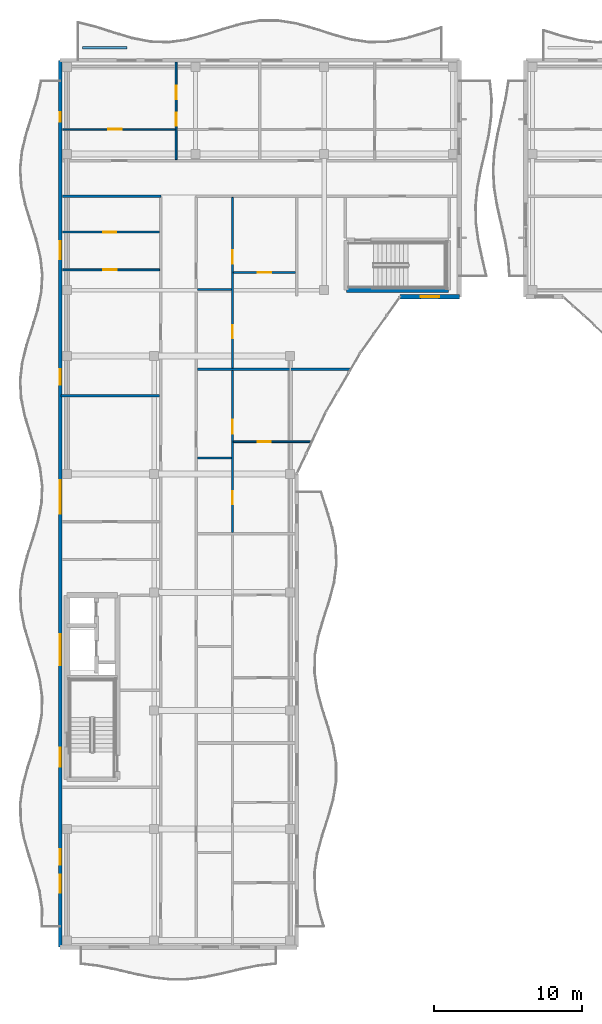
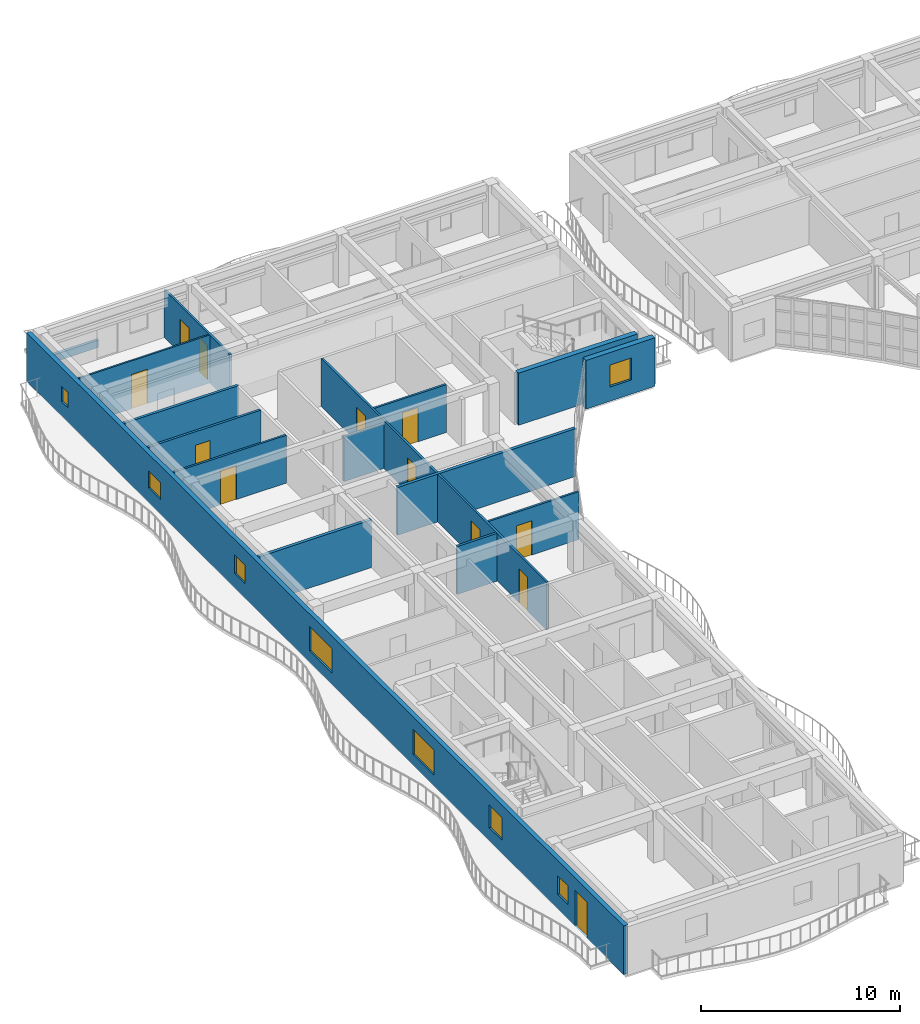
# One storey, part 34 of 76: 17 walls, 12 doors, 8 windows, 20 openings.
"""IFC4 building model written with IfcOpenShell, lengths in metres."""

from ifc_helpers import new_model, si_unit, direction, frame, frame_2d, origin, place, context, subcontext, project, spatial, rectangle, extrude, material, layer, layer_set, type_object, element, fill, save


model = new_model("IFC4")

# Units and contexts
model_context = context("Model", 3, precision=1e-05, world=origin(), true_north=direction((0.0, 1.0)))
body_context = subcontext(model_context, "Body", "Model", "MODEL_VIEW")
ifc_project = project(units=[si_unit("LENGTHUNIT", "METRE"), si_unit("AREAUNIT", "SQUARE_METRE"), si_unit("VOLUMEUNIT", "CUBIC_METRE"), si_unit("PLANEANGLEUNIT", "RADIAN"), si_unit("MASSUNIT", "GRAM", prefix="KILO")], contexts=[model_context])

# Site, building, storey
site_placement = place(None, origin())
site = spatial("IfcSite", under=ifc_project, at=site_placement, CompositionType="ELEMENT")
building_placement = place(site_placement, origin())
building = spatial("IfcBuilding", under=site, at=building_placement, Name="Keldmere Railside Commons", CompositionType="ELEMENT")
storey_placement = place(building_placement, frame((0.0, 0.0, 13.760009765625)))
storey = spatial("IfcBuildingStorey", under=building, at=storey_placement, Name="L04", CompositionType="ELEMENT", Elevation=13.760009765625)

# Walls
ifc_material_1 = material(Name="Acoustic Gypsum Board Partition", Category="gypsum")
ifc_layer_1 = layer(ifc_material_1, 0.179931640625, Name="Acoustic Demising Partition 180")
ifc_layer_set_1 = layer_set([ifc_layer_1], Name="Acoustic Gypsum Board Partition")
wall_type_1 = type_object("IfcWallType", Name="Acoustic Demising Partition 180", PredefinedType="PARTITIONING", material=ifc_layer_set_1)
wall_1_placement = place(storey_placement, frame((17.280029296875, 95.090087890625, 0.0), z_axis=(0.0, 0.0, 1.0), x_axis=(1.0, 0.0, 0.0)))
element("IfcWall", 1, at=wall_1_placement, inside=storey, type_object=wall_type_1, Name="IW-1 IW-L04-0337", PredefinedType="PARTITIONING", context=body_context, shape_type="SweptSolid", body=[
    extrude(rectangle(XDim=10.330078125, YDim=0.179931640625, at=frame_2d((5.1650390625, 0.0))), origin(), (0.0, 0.0, 1.0), 2.93505859375),
])
wall_2_placement = place(storey_placement, frame((8.0400390625, 93.300048828125, 0.0), z_axis=(0.0, 0.0, 1.0), x_axis=(1.0, 0.0, 0.0)))
element("IfcWall", 2, at=wall_2_placement, inside=storey, type_object=wall_type_1, Name="IW-1 IW-L04-0359", PredefinedType="PARTITIONING", context=body_context, shape_type="SweptSolid", body=[
    extrude(rectangle(XDim=6.679931640625, YDim=0.179931640625, at=frame_2d((3.33984375, 0.0))), origin(), (0.0, 0.0, 1.0), 2.93505859375),
])

# Wall, openings, doors
ifc_layer_2 = layer(ifc_material_1, 0.1201171875, Name="Apartment Interior Partition 120")
ifc_layer_set_2 = layer_set([ifc_layer_2], Name="Acoustic Gypsum Board Partition")
wall_type_2 = type_object("IfcWallType", Name="Apartment Interior Partition 120", PredefinedType="PARTITIONING", material=ifc_layer_set_2)
wall_3_placement = place(storey_placement, frame((19.659912109375, 84.06005859375, 0.0), z_axis=(0.0, 0.0, 1.0), x_axis=(0.0, 1.0, 0.0)))
wall_3 = element("IfcWall", 3, at=wall_3_placement, inside=storey, type_object=wall_type_2, Name="IW-4 IW-L04-0346", PredefinedType="PARTITIONING", context=body_context, shape_type="SweptSolid", body=[
    extrude(rectangle(XDim=10.93994140625, YDim=0.1201171875, at=frame_2d((5.469970703125, 0.0))), origin(), (0.0, 0.0, 1.0), 2.93505859375),
])
opening_1_placement = place(wall_3_placement, frame((1.911376953125, 0.0, 0.0)))
opening_1 = element("IfcOpeningElement", 4, at=opening_1_placement, cuts=wall_3, Name="Opening ID-04", PredefinedType="OPENING", context=body_context, shape_type="SweptSolid", body=[
    extrude(rectangle(XDim=0.860107421875, YDim=2.10009765625, at=frame_2d((0.43017578125, 1.050048828125))), frame((0.0, 0.070068359375, 0.0), z_axis=(0.0, -1.0, 0.0), x_axis=(1.0, 0.0, 0.0)), (0.0, 0.0, 1.0), 0.14013671875),
])
opening_2_placement = place(wall_3_placement, frame((6.684814453125, 0.0, 0.0)))
opening_2 = element("IfcOpeningElement", 5, at=opening_2_placement, cuts=wall_3, Name="Opening ID-03", PredefinedType="OPENING", context=body_context, shape_type="SweptSolid", body=[
    extrude(rectangle(XDim=0.919921875, YDim=2.10009765625, at=frame_2d((0.4599609375, 1.050048828125))), frame((0.0, 0.070068359375, 0.0), z_axis=(0.0, -1.0, 0.0), x_axis=(1.0, 0.0, 0.0)), (0.0, 0.0, 1.0), 0.14013671875),
])
ifc_material_2 = material(Name="Engineered Oak Timber", Category="wood")
door_type_1 = type_object("IfcDoorType", Name="Apartment Bathroom Door 860x2100", OperationType="NOTDEFINED", PredefinedType="DOOR", material=ifc_material_2)
door_1_placement = place(opening_1_placement, origin())
door_1 = element("IfcDoor", 6, at=door_1_placement, inside=storey, type_object=door_type_1, Name="ID-04 IDR-L04-0248", OperationType="SINGLE_SWING_RIGHT", OverallHeight=2.10009765625, OverallWidth=0.860107421875, PredefinedType="DOOR", context=body_context, shape_type="SweptSolid", body=[
    extrude(rectangle(XDim=0.860107421875, YDim=2.10009765625, at=frame_2d((0.43017578125, 1.050048828125))), frame((0.0, 0.02490234375, 0.0), z_axis=(0.0, -1.0, 0.0), x_axis=(1.0, 0.0, 0.0)), (0.0, 0.0, 1.0), 0.050048828125),
])
fill(opening_1, door_1)
door_type_2 = type_object("IfcDoorType", Name="Kitchen Pocket-Frame Swing Door 920x2100", OperationType="NOTDEFINED", PredefinedType="DOOR", material=ifc_material_2)
door_2_placement = place(opening_2_placement, origin())
door_2 = element("IfcDoor", 7, at=door_2_placement, inside=storey, type_object=door_type_2, Name="ID-03 IDR-L04-0249", OperationType="SINGLE_SWING_LEFT", OverallHeight=2.10009765625, OverallWidth=0.919921875, PredefinedType="DOOR", context=body_context, shape_type="SweptSolid", body=[
    extrude(rectangle(XDim=0.919921875, YDim=2.10009765625, at=frame_2d((0.4599609375, 1.050048828125))), frame((0.0, 0.02490234375, 0.0), z_axis=(0.0, -1.0, 0.0), x_axis=(1.0, 0.0, 0.0)), (0.0, 0.0, 1.0), 0.050048828125),
])
fill(opening_2, door_2)

# Wall, opening, door
wall_4_placement = place(storey_placement, frame((19.719970703125, 90.18994140625, 0.0), z_axis=(0.0, 0.0, 1.0), x_axis=(1.0, 0.0, 0.0)))
wall_4 = element("IfcWall", 8, at=wall_4_placement, inside=storey, type_object=wall_type_2, Name="IW-4 IW-L04-0348", PredefinedType="PARTITIONING", context=body_context, shape_type="SweptSolid", body=[
    extrude(rectangle(XDim=5.263427734375, YDim=0.1201171875, at=frame_2d((2.6318359375, 0.0))), origin(), (0.0, 0.0, 1.0), 2.93505859375),
])
opening_3_placement = place(wall_4_placement, frame((1.625, 0.0, 0.0)))
opening_3 = element("IfcOpeningElement", 9, at=opening_3_placement, cuts=wall_4, Name="Opening ID-01", PredefinedType="OPENING", context=body_context, shape_type="SweptSolid", body=[
    extrude(rectangle(XDim=0.89990234375, YDim=2.10009765625, at=frame_2d((0.449951171875, 1.050048828125))), frame((0.0, 0.070068359375, 0.0), z_axis=(0.0, -1.0, 0.0), x_axis=(1.0, 0.0, 0.0)), (0.0, 0.0, 1.0), 0.14013671875),
])
door_type_3 = type_object("IfcDoorType", Name="Primary Bedroom Door 900x2100", OperationType="NOTDEFINED", PredefinedType="DOOR", material=ifc_material_2)
door_3_placement = place(opening_3_placement, origin())
door_3 = element("IfcDoor", 10, at=door_3_placement, inside=storey, type_object=door_type_3, Name="ID-01 IDR-L04-0251", OperationType="SINGLE_SWING_LEFT", OverallHeight=2.10009765625, OverallWidth=0.89990234375, PredefinedType="DOOR", context=body_context, shape_type="SweptSolid", body=[
    extrude(rectangle(XDim=0.89990234375, YDim=2.10009765625, at=frame_2d((0.449951171875, 1.050048828125))), frame((0.0, 0.02490234375, 0.0), z_axis=(0.0, -1.0, 0.0), x_axis=(1.0, 0.0, 0.0)), (0.0, 0.0, 1.0), 0.050048828125),
])
fill(opening_3, door_3)

# Wall, openings, doors
wall_5_placement = place(storey_placement, frame((19.659912109375, 95.179931640625, 0.0), z_axis=(0.0, 0.0, 1.0), x_axis=(0.0, 1.0, 0.0)))
wall_5 = element("IfcWall", 11, at=wall_5_placement, inside=storey, type_object=wall_type_2, Name="IW-4 IW-L04-0349", PredefinedType="PARTITIONING", context=body_context, shape_type="SweptSolid", body=[
    extrude(rectangle(XDim=11.5400390625, YDim=0.1201171875, at=frame_2d((5.77001953125, 0.0))), origin(), (0.0, 0.0, 1.0), 2.93505859375),
])
opening_4_placement = place(wall_5_placement, frame((2.017822265625, 0.0, 0.0)))
opening_4 = element("IfcOpeningElement", 12, at=opening_4_placement, cuts=wall_5, Name="Opening ID-04", PredefinedType="OPENING", context=body_context, shape_type="SweptSolid", body=[
    extrude(rectangle(XDim=0.860107421875, YDim=2.10009765625, at=frame_2d((0.43017578125, 1.050048828125))), frame((0.0, 0.070068359375, 0.0), z_axis=(0.0, -1.0, 0.0), x_axis=(1.0, 0.0, 0.0)), (0.0, 0.0, 1.0), 0.14013671875),
])
opening_5_placement = place(wall_5_placement, frame((7.054443359375, 0.0, 0.0)))
opening_5 = element("IfcOpeningElement", 13, at=opening_5_placement, cuts=wall_5, Name="Opening ID-03", PredefinedType="OPENING", context=body_context, shape_type="SweptSolid", body=[
    extrude(rectangle(XDim=0.919921875, YDim=2.10009765625, at=frame_2d((0.4599609375, 1.050048828125))), frame((0.0, 0.070068359375, 0.0), z_axis=(0.0, -1.0, 0.0), x_axis=(1.0, 0.0, 0.0)), (0.0, 0.0, 1.0), 0.14013671875),
])
door_4_placement = place(opening_4_placement, origin())
door_4 = element("IfcDoor", 14, at=door_4_placement, inside=storey, type_object=door_type_1, Name="ID-04 IDR-L04-0252", OperationType="SINGLE_SWING_RIGHT", OverallHeight=2.10009765625, OverallWidth=0.860107421875, PredefinedType="DOOR", context=body_context, shape_type="SweptSolid", body=[
    extrude(rectangle(XDim=0.860107421875, YDim=2.10009765625, at=frame_2d((0.43017578125, 1.050048828125))), frame((0.0, 0.02490234375, 0.0), z_axis=(0.0, -1.0, 0.0), x_axis=(1.0, 0.0, 0.0)), (0.0, 0.0, 1.0), 0.050048828125),
])
fill(opening_4, door_4)
door_5_placement = place(opening_5_placement, origin())
door_5 = element("IfcDoor", 15, at=door_5_placement, inside=storey, type_object=door_type_2, Name="ID-03 IDR-L04-0253", OperationType="SINGLE_SWING_LEFT", OverallHeight=2.10009765625, OverallWidth=0.919921875, PredefinedType="DOOR", context=body_context, shape_type="SweptSolid", body=[
    extrude(rectangle(XDim=0.919921875, YDim=2.10009765625, at=frame_2d((0.4599609375, 1.050048828125))), frame((0.0, 0.02490234375, 0.0), z_axis=(0.0, -1.0, 0.0), x_axis=(1.0, 0.0, 0.0)), (0.0, 0.0, 1.0), 0.050048828125),
])
fill(opening_5, door_5)

# Wall, opening, door
wall_6_placement = place(storey_placement, frame((19.719970703125, 101.639892578125, 0.0), z_axis=(0.0, 0.0, 1.0), x_axis=(1.0, 0.0, 0.0)))
wall_6 = element("IfcWall", 16, at=wall_6_placement, inside=storey, type_object=wall_type_2, Name="IW-4 IW-L04-0351", PredefinedType="PARTITIONING", context=body_context, shape_type="SweptSolid", body=[
    extrude(rectangle(XDim=4.18994140625, YDim=0.1201171875, at=frame_2d((2.094970703125, 0.0))), origin(), (0.0, 0.0, 1.0), 2.93505859375),
])
opening_6_placement = place(wall_6_placement, frame((1.64501953125, 0.0, 0.0)))
opening_6 = element("IfcOpeningElement", 17, at=opening_6_placement, cuts=wall_6, Name="Opening ID-01", PredefinedType="OPENING", context=body_context, shape_type="SweptSolid", body=[
    extrude(rectangle(XDim=0.89990234375, YDim=2.10009765625, at=frame_2d((0.449951171875, 1.050048828125))), frame((0.0, 0.070068359375, 0.0), z_axis=(0.0, -1.0, 0.0), x_axis=(1.0, 0.0, 0.0)), (0.0, 0.0, 1.0), 0.14013671875),
])
door_6_placement = place(opening_6_placement, origin())
door_6 = element("IfcDoor", 18, at=door_6_placement, inside=storey, type_object=door_type_3, Name="ID-01 IDR-L04-0255", OperationType="SINGLE_SWING_LEFT", OverallHeight=2.10009765625, OverallWidth=0.89990234375, PredefinedType="DOOR", context=body_context, shape_type="SweptSolid", body=[
    extrude(rectangle(XDim=0.89990234375, YDim=2.10009765625, at=frame_2d((0.449951171875, 1.050048828125))), frame((0.0, 0.02490234375, 0.0), z_axis=(0.0, -1.0, 0.0), x_axis=(1.0, 0.0, 0.0)), (0.0, 0.0, 1.0), 0.050048828125),
])
fill(opening_6, door_6)

# Wall, openings, doors
wall_7_placement = place(storey_placement, frame((15.840087890625, 109.280029296875, 0.0), z_axis=(0.0, 0.0, 1.0), x_axis=(0.0, 1.0, 0.0)))
wall_7 = element("IfcWall", 19, at=wall_7_placement, inside=storey, type_object=wall_type_2, Name="IW-4 IW-L04-0353", PredefinedType="PARTITIONING", context=body_context, shape_type="SweptSolid", body=[
    extrude(rectangle(XDim=6.590087890625, YDim=0.1201171875, at=frame_2d((3.294921875, 0.0))), origin(), (0.0, 0.0, 1.0), 2.93505859375),
])
opening_7_placement = place(wall_7_placement, frame((2.305908203125, 0.0, 0.0)))
opening_7 = element("IfcOpeningElement", 20, at=opening_7_placement, cuts=wall_7, Name="Opening ID-04", PredefinedType="OPENING", context=body_context, shape_type="SweptSolid", body=[
    extrude(rectangle(XDim=0.860107421875, YDim=2.10009765625, at=frame_2d((0.43017578125, 1.050048828125))), frame((0.0, 0.070068359375, 0.0), z_axis=(0.0, -1.0, 0.0), x_axis=(1.0, 0.0, 0.0)), (0.0, 0.0, 1.0), 0.14013671875),
])
opening_8_placement = place(wall_7_placement, frame((4.093017578125, 0.0, 0.0)))
opening_8 = element("IfcOpeningElement", 21, at=opening_8_placement, cuts=wall_7, Name="Opening ID-01", PredefinedType="OPENING", context=body_context, shape_type="SweptSolid", body=[
    extrude(rectangle(XDim=0.89990234375, YDim=2.10009765625, at=frame_2d((0.449951171875, 1.050048828125))), frame((0.0, 0.070068359375, 0.0), z_axis=(0.0, -1.0, 0.0), x_axis=(1.0, 0.0, 0.0)), (0.0, 0.0, 1.0), 0.14013671875),
])
door_7_placement = place(opening_7_placement, origin())
door_7 = element("IfcDoor", 22, at=door_7_placement, inside=storey, type_object=door_type_1, Name="ID-04 IDR-L04-0258", OperationType="SINGLE_SWING_RIGHT", OverallHeight=2.10009765625, OverallWidth=0.860107421875, PredefinedType="DOOR", context=body_context, shape_type="SweptSolid", body=[
    extrude(rectangle(XDim=0.860107421875, YDim=2.10009765625, at=frame_2d((0.43017578125, 1.050048828125))), frame((0.0, 0.02490234375, 0.0), z_axis=(0.0, -1.0, 0.0), x_axis=(1.0, 0.0, 0.0)), (0.0, 0.0, 1.0), 0.050048828125),
])
fill(opening_7, door_7)
door_8_placement = place(opening_8_placement, origin())
door_8 = element("IfcDoor", 23, at=door_8_placement, inside=storey, type_object=door_type_3, Name="ID-01 IDR-L04-0259", OperationType="SINGLE_SWING_LEFT", OverallHeight=2.10009765625, OverallWidth=0.89990234375, PredefinedType="DOOR", context=body_context, shape_type="SweptSolid", body=[
    extrude(rectangle(XDim=0.89990234375, YDim=2.10009765625, at=frame_2d((0.449951171875, 1.050048828125))), frame((0.0, 0.02490234375, 0.0), z_axis=(0.0, -1.0, 0.0), x_axis=(1.0, 0.0, 0.0)), (0.0, 0.0, 1.0), 0.050048828125),
])
fill(opening_8, door_8)

# Wall, opening, door
wall_8_placement = place(storey_placement, frame((8.159912109375, 101.820068359375, 0.0), z_axis=(0.0, 0.0, 1.0), x_axis=(1.0, 0.0, 0.0)))
wall_8 = element("IfcWall", 24, at=wall_8_placement, inside=storey, type_object=wall_type_2, Name="IW-4 IW-L04-0362", PredefinedType="PARTITIONING", context=body_context, shape_type="SweptSolid", body=[
    extrude(rectangle(XDim=6.56005859375, YDim=0.1201171875, at=frame_2d((3.280029296875, 0.0))), origin(), (0.0, 0.0, 1.0), 2.93505859375),
])
opening_9_placement = place(wall_8_placement, frame((2.755126953125, 0.0, 0.0)))
opening_9 = element("IfcOpeningElement", 25, at=opening_9_placement, cuts=wall_8, Name="Opening ID-03", PredefinedType="OPENING", context=body_context, shape_type="SweptSolid", body=[
    extrude(rectangle(XDim=0.919921875, YDim=2.10009765625, at=frame_2d((0.4599609375, 1.050048828125))), frame((0.0, 0.070068359375, 0.0), z_axis=(0.0, -1.0, 0.0), x_axis=(1.0, 0.0, 0.0)), (0.0, 0.0, 1.0), 0.14013671875),
])
door_9_placement = place(opening_9_placement, origin())
door_9 = element("IfcDoor", 26, at=door_9_placement, inside=storey, type_object=door_type_2, Name="ID-03 IDR-L04-0271", OperationType="SINGLE_SWING_LEFT", OverallHeight=2.10009765625, OverallWidth=0.919921875, PredefinedType="DOOR", context=body_context, shape_type="SweptSolid", body=[
    extrude(rectangle(XDim=0.919921875, YDim=2.10009765625, at=frame_2d((0.4599609375, 1.050048828125))), frame((0.0, 0.02490234375, 0.0), z_axis=(0.0, -1.0, 0.0), x_axis=(1.0, 0.0, 0.0)), (0.0, 0.0, 1.0), 0.050048828125),
])
fill(opening_9, door_9)

# Wall
ifc_material_3 = material(Name="White Precast Concrete H-35 (C35/45)", Category="concrete")
ifc_layer_3 = layer(ifc_material_3, 0.169921875, Name="Balcony Planter Kerb Wall 170")
ifc_layer_set_3 = layer_set([ifc_layer_3], Name="White Precast Concrete H-35 (C35/45)")
wall_type_3 = type_object("IfcWallType", Name="Balcony Planter Kerb Wall 170", PredefinedType="PARAPET", material=ifc_layer_set_3)
wall_9_placement = place(storey_placement, frame((9.5, 116.85009765625, 0.0), z_axis=(0.0, 0.0, 1.0), x_axis=(1.0, 0.0, 0.0)))
element("IfcWall", 27, at=wall_9_placement, inside=storey, type_object=wall_type_3, Name="PW-2 PKBD-L04-0156", PredefinedType="PARAPET", context=body_context, shape_type="SweptSolid", body=[
    extrude(rectangle(XDim=3.0, YDim=0.169921875, at=frame_2d((1.5, 0.0))), origin(), (0.0, 0.0, 1.0), 0.449951171875),
])

# Wall, opening, door
ifc_layer_4 = layer(ifc_material_1, 0.10009765625, Name="Closet Light Partition 100")
ifc_layer_set_4 = layer_set([ifc_layer_4], Name="Acoustic Gypsum Board Partition")
wall_type_4 = type_object("IfcWallType", Name="Closet Light Partition 100", PredefinedType="PARTITIONING", material=ifc_layer_set_4)
wall_10_placement = place(storey_placement, frame((8.159912109375, 111.330078125, 0.0), z_axis=(0.0, 0.0, 1.0), x_axis=(1.0, 0.0, 0.0)))
wall_10 = element("IfcWall", 28, at=wall_10_placement, inside=storey, type_object=wall_type_4, Name="IW-6 IW-L04-0355", PredefinedType="PARTITIONING", context=body_context, shape_type="SweptSolid", body=[
    extrude(rectangle(XDim=7.6201171875, YDim=0.10009765625, at=frame_2d((3.81005859375, 0.0))), origin(), (0.0, 0.0, 1.0), 2.93505859375),
])
opening_10_placement = place(wall_10_placement, frame((3.072021484375, 0.0, 0.0)))
opening_10 = element("IfcOpeningElement", 29, at=opening_10_placement, cuts=wall_10, Name="Opening ID-03", PredefinedType="OPENING", context=body_context, shape_type="SweptSolid", body=[
    extrude(rectangle(XDim=0.919921875, YDim=2.10009765625, at=frame_2d((0.4599609375, 1.050048828125))), frame((0.0, 0.06005859375, 0.0), z_axis=(0.0, -1.0, 0.0), x_axis=(1.0, 0.0, 0.0)), (0.0, 0.0, 1.0), 0.1201171875),
])
door_10_placement = place(opening_10_placement, origin())
door_10 = element("IfcDoor", 30, at=door_10_placement, inside=storey, type_object=door_type_2, Name="ID-03 IDR-L04-0257", OperationType="SINGLE_SWING_LEFT", OverallHeight=2.10009765625, OverallWidth=0.919921875, PredefinedType="DOOR", context=body_context, shape_type="SweptSolid", body=[
    extrude(rectangle(XDim=0.919921875, YDim=2.10009765625, at=frame_2d((0.4599609375, 1.050048828125))), frame((0.0, 0.02490234375, 0.0), z_axis=(0.0, -1.0, 0.0), x_axis=(1.0, 0.0, 0.0)), (0.0, 0.0, 1.0), 0.050048828125),
])
fill(opening_10, door_10)

# Wall
ifc_layer_5 = layer(ifc_material_1, 0.159912109375, Name="Corridor Fire Partition 160")
ifc_layer_set_5 = layer_set([ifc_layer_5], Name="Acoustic Gypsum Board Partition")
wall_type_5 = type_object("IfcWallType", Name="Corridor Fire Partition 160", PredefinedType="PARTITIONING", material=ifc_layer_set_5)
wall_11_placement = place(storey_placement, frame((8.159912109375, 106.800048828125, 0.0), z_axis=(0.0, 0.0, 1.0), x_axis=(1.0, 0.0, 0.0)))
element("IfcWall", 31, at=wall_11_placement, inside=storey, type_object=wall_type_5, Name="IW-2 IW-L04-0329", PredefinedType="PARTITIONING", context=body_context, shape_type="SweptSolid", body=[
    extrude(rectangle(XDim=6.64013671875, YDim=0.159912109375, at=frame_2d((3.320068359375, 0.0))), origin(), (0.0, 0.0, 1.0), 2.93505859375),
])

# Wall, opening, window
ifc_material_4 = material(Name="Concrete H-35 (C35/45)", Category="concrete")
ifc_layer_6 = layer(ifc_material_4, 0.320068359375, Name="Exterior Shear Wall 320")
ifc_layer_set_6 = layer_set([ifc_layer_6], Name="Concrete H-35 (C35/45)")
wall_type_6 = type_object("IfcWallType", Name="Exterior Shear Wall 320", PredefinedType="SHEAR", material=ifc_layer_set_6)
wall_12_placement = place(storey_placement, frame((35.0, 100.0, 0.0), z_axis=(0.0, 0.0, 1.0), x_axis=(-1.0, 0.0, 0.0)))
wall_12 = element("IfcWall", 32, at=wall_12_placement, inside=storey, type_object=wall_type_6, Name="ESW-2 EXTD-L04-0152", PredefinedType="SHEAR", context=body_context, shape_type="SweptSolid", body=[
    extrude(rectangle(XDim=4.0, YDim=0.320068359375, at=frame_2d((2.0, 0.0))), origin(), (0.0, 0.0, 1.0), 2.97998046875),
])
opening_11_placement = place(wall_12_placement, frame((1.375, 0.0, 0.8701171875)))
opening_11 = element("IfcOpeningElement", 33, at=opening_11_placement, cuts=wall_12, Name="Opening WN-09", PredefinedType="OPENING", context=body_context, shape_type="SweptSolid", body=[
    extrude(rectangle(XDim=1.25, YDim=1.35009765625, at=frame_2d((0.625, 0.675048828125))), frame((0.0, 0.169921875, 0.0), z_axis=(0.0, -1.0, 0.0), x_axis=(1.0, 0.0, 0.0)), (0.0, 0.0, 1.0), 0.340087890625),
])
ifc_material_5 = material(Name="Low-E Insulated Double Glazing", Category="glass")
window_type_1 = type_object("IfcWindowType", Name="Secondary Bedroom Window 1250x1350", PartitioningType="SINGLE_PANEL", PredefinedType="WINDOW", material=ifc_material_5)
window_1_placement = place(opening_11_placement, origin())
window_1 = element("IfcWindow", 34, at=window_1_placement, inside=storey, type_object=window_type_1, Name="WN-09 WIN-L04-0087", OverallHeight=1.35009765625, OverallWidth=1.25, PartitioningType="SINGLE_PANEL", PredefinedType="WINDOW", context=body_context, shape_type="SweptSolid", body=[
    extrude(rectangle(XDim=1.25, YDim=1.35009765625, at=frame_2d((0.625, 0.675048828125))), frame((0.0, 0.030029296875, 0.0), z_axis=(0.0, -1.0, 0.0), x_axis=(1.0, 0.0, 0.0)), (0.0, 0.0, 1.0), 0.06005859375),
])
fill(opening_11, window_1)

# Wall
ifc_layer_7 = layer(ifc_material_4, 0.300048828125, Name="Interior Shear Wall 300")
ifc_layer_set_7 = layer_set([ifc_layer_7], Name="Concrete H-35 (C35/45)")
wall_type_7 = type_object("IfcWallType", Name="Interior Shear Wall 300", PredefinedType="SHEAR", material=ifc_layer_set_7)
wall_13_placement = place(storey_placement, frame((27.35009765625, 100.449951171875, 0.0), z_axis=(0.0, 0.0, 1.0), x_axis=(1.0, 0.0, 0.0)))
element("IfcWall", 35, at=wall_13_placement, inside=storey, type_object=wall_type_7, Name="ISW-2 CORED2S-L04-0083", PredefinedType="SHEAR", context=body_context, shape_type="SweptSolid", body=[
    extrude(rectangle(XDim=6.89990234375, YDim=0.300048828125, at=frame_2d((3.449951171875, 0.0))), origin(), (0.0, 0.0, 1.0), 3.199951171875),
])

# Wall, openings, windows, door
ifc_material_6 = material(Name="Terracotta Brick Masonry", Category="masonry")
ifc_layer_8 = layer(ifc_material_6, 0.260009765625, Name="Terracotta Cavity Wall 260")
ifc_layer_set_8 = layer_set([ifc_layer_8], Name="Terracotta Brick Masonry")
wall_type_8 = type_object("IfcWallType", Name="Terracotta Cavity Wall 260", PredefinedType="SOLIDWALL", material=ifc_layer_set_8)
wall_14_placement = place(storey_placement, frame((8.0, 56.0, 0.0), z_axis=(0.0, 0.0, 1.0), x_axis=(0.0, 1.0, 0.0)))
wall_14 = element("IfcWall", 36, at=wall_14_placement, inside=storey, type_object=wall_type_8, Name="EW-1 EXTD-L04-0155", PredefinedType="SOLIDWALL", context=body_context, shape_type="SweptSolid", body=[
    extrude(rectangle(XDim=60.0, YDim=0.260009765625, at=frame_2d((30.0, 0.0))), origin(), (0.0, 0.0, 1.0), 2.97998046875),
])
opening_12_placement = place(wall_14_placement, frame((3.685791015625, 0.0, 0.0)))
opening_12 = element("IfcOpeningElement", 37, at=opening_12_placement, cuts=wall_14, Name="Opening BD-01", PredefinedType="OPENING", context=body_context, shape_type="SweptSolid", body=[
    extrude(rectangle(XDim=1.199951171875, YDim=2.199951171875, at=frame_2d((0.60009765625, 1.10009765625))), frame((0.0, 0.139892578125, 0.0), z_axis=(0.0, -1.0, 0.0), x_axis=(1.0, 0.0, 0.0)), (0.0, 0.0, 1.0), 0.280029296875),
])
opening_13_placement = place(wall_14_placement, frame((5.585693359375, 0.0, 0.89990234375)))
opening_13 = element("IfcOpeningElement", 38, at=opening_13_placement, cuts=wall_14, Name="Opening WN-13", PredefinedType="OPENING", context=body_context, shape_type="SweptSolid", body=[
    extrude(rectangle(XDim=1.050048828125, YDim=1.14990234375, at=frame_2d((0.52490234375, 0.574951171875))), frame((0.0, 0.139892578125, 0.0), z_axis=(0.0, -1.0, 0.0), x_axis=(1.0, 0.0, 0.0)), (0.0, 0.0, 1.0), 0.280029296875),
])
opening_14_placement = place(wall_14_placement, frame((12.20703125, 0.0, 0.820068359375)))
opening_14 = element("IfcOpeningElement", 39, at=opening_14_placement, cuts=wall_14, Name="Opening WN-10", PredefinedType="OPENING", context=body_context, shape_type="SweptSolid", body=[
    extrude(rectangle(XDim=1.300048828125, YDim=1.39990234375, at=frame_2d((0.64990234375, 0.699951171875))), frame((0.0, 0.139892578125, 0.0), z_axis=(0.0, -1.0, 0.0), x_axis=(1.0, 0.0, 0.0)), (0.0, 0.0, 1.0), 0.280029296875),
])
opening_15_placement = place(wall_14_placement, frame((19.07861328125, 0.0, 0.669921875)))
opening_15 = element("IfcOpeningElement", 40, at=opening_15_placement, cuts=wall_14, Name="Opening WN-11", PredefinedType="OPENING", context=body_context, shape_type="SweptSolid", body=[
    extrude(rectangle(XDim=2.10009765625, YDim=1.550048828125, at=frame_2d((1.050048828125, 0.77490234375))), frame((0.0, 0.139892578125, 0.0), z_axis=(0.0, -1.0, 0.0), x_axis=(1.0, 0.0, 0.0)), (0.0, 0.0, 1.0), 0.280029296875),
])
opening_16_placement = place(wall_14_placement, frame((29.324951171875, 0.0, 0.719970703125)))
opening_16 = element("IfcOpeningElement", 41, at=opening_16_placement, cuts=wall_14, Name="Opening WN-12", PredefinedType="OPENING", context=body_context, shape_type="SweptSolid", body=[
    extrude(rectangle(XDim=2.25, YDim=1.5, at=frame_2d((1.125, 0.75))), frame((0.0, 0.139892578125, 0.0), z_axis=(0.0, -1.0, 0.0), x_axis=(1.0, 0.0, 0.0)), (0.0, 0.0, 1.0), 0.280029296875),
])
opening_17_placement = place(wall_14_placement, frame((38.04638671875, 0.0, 0.89990234375)))
opening_17 = element("IfcOpeningElement", 42, at=opening_17_placement, cuts=wall_14, Name="Opening WN-13", PredefinedType="OPENING", context=body_context, shape_type="SweptSolid", body=[
    extrude(rectangle(XDim=1.050048828125, YDim=1.14990234375, at=frame_2d((0.52490234375, 0.574951171875))), frame((0.0, 0.139892578125, 0.0), z_axis=(0.0, -1.0, 0.0), x_axis=(1.0, 0.0, 0.0)), (0.0, 0.0, 1.0), 0.280029296875),
])
opening_18_placement = place(wall_14_placement, frame((46.54296875, 0.0, 0.89990234375)))
opening_18 = element("IfcOpeningElement", 43, at=opening_18_placement, cuts=wall_14, Name="Opening WN-14", PredefinedType="OPENING", context=body_context, shape_type="SweptSolid", body=[
    extrude(rectangle(XDim=1.199951171875, YDim=1.050048828125, at=frame_2d((0.60009765625, 0.52490234375))), frame((0.0, 0.139892578125, 0.0), z_axis=(0.0, -1.0, 0.0), x_axis=(1.0, 0.0, 0.0)), (0.0, 0.0, 1.0), 0.280029296875),
])
opening_19_placement = place(wall_14_placement, frame((55.83935546875, 0.0, 0.89990234375)))
opening_19 = element("IfcOpeningElement", 44, at=opening_19_placement, cuts=wall_14, Name="Opening WN-15", PredefinedType="OPENING", context=body_context, shape_type="SweptSolid", body=[
    extrude(rectangle(XDim=0.64990234375, YDim=0.949951171875, at=frame_2d((0.324951171875, 0.47509765625))), frame((0.0, 0.139892578125, 0.0), z_axis=(0.0, -1.0, 0.0), x_axis=(1.0, 0.0, 0.0)), (0.0, 0.0, 1.0), 0.280029296875),
])
window_type_2 = type_object("IfcWindowType", Name="Apartment Kitchen Casement Window 1050x1150", PartitioningType="SINGLE_PANEL", PredefinedType="WINDOW", material=ifc_material_5)
window_2_placement = place(opening_13_placement, origin())
window_2 = element("IfcWindow", 45, at=window_2_placement, inside=storey, type_object=window_type_2, Name="WN-13 WIN-L04-0093", OverallHeight=1.14990234375, OverallWidth=1.050048828125, PartitioningType="SINGLE_PANEL", PredefinedType="WINDOW", context=body_context, shape_type="SweptSolid", body=[
    extrude(rectangle(XDim=1.050048828125, YDim=1.14990234375, at=frame_2d((0.52490234375, 0.574951171875))), frame((0.0, 0.030029296875, 0.0), z_axis=(0.0, -1.0, 0.0), x_axis=(1.0, 0.0, 0.0)), (0.0, 0.0, 1.0), 0.06005859375),
])
fill(opening_13, window_2)
window_3_placement = place(opening_17_placement, origin())
window_3 = element("IfcWindow", 46, at=window_3_placement, inside=storey, type_object=window_type_2, Name="WN-13 WIN-L04-0097", OverallHeight=1.14990234375, OverallWidth=1.050048828125, PartitioningType="SINGLE_PANEL", PredefinedType="WINDOW", context=body_context, shape_type="SweptSolid", body=[
    extrude(rectangle(XDim=1.050048828125, YDim=1.14990234375, at=frame_2d((0.52490234375, 0.574951171875))), frame((0.0, 0.030029296875, 0.0), z_axis=(0.0, -1.0, 0.0), x_axis=(1.0, 0.0, 0.0)), (0.0, 0.0, 1.0), 0.06005859375),
])
fill(opening_17, window_3)
window_type_3 = type_object("IfcWindowType", Name="Apartment Kitchen Ribbon Window 1200x1050", PartitioningType="SINGLE_PANEL", PredefinedType="WINDOW", material=ifc_material_5)
window_4_placement = place(opening_18_placement, origin())
window_4 = element("IfcWindow", 47, at=window_4_placement, inside=storey, type_object=window_type_3, Name="WN-14 WIN-L04-0098", OverallHeight=1.050048828125, OverallWidth=1.199951171875, PartitioningType="SINGLE_PANEL", PredefinedType="WINDOW", context=body_context, shape_type="SweptSolid", body=[
    extrude(rectangle(XDim=1.199951171875, YDim=1.050048828125, at=frame_2d((0.60009765625, 0.52490234375))), frame((0.0, 0.030029296875, 0.0), z_axis=(0.0, -1.0, 0.0), x_axis=(1.0, 0.0, 0.0)), (0.0, 0.0, 1.0), 0.06005859375),
])
fill(opening_18, window_4)
ifc_material_7 = material(Name="Thermally Broken Aluminium", Category="aluminium")
door_type_4 = type_object("IfcDoorType", Name="Apartment Living Wave-Balcony Glazed Door 1200x2200", OperationType="NOTDEFINED", PredefinedType="DOOR", material=ifc_material_7)
door_11_placement = place(opening_12_placement, origin())
door_11 = element("IfcDoor", 48, at=door_11_placement, inside=storey, type_object=door_type_4, Name="BD-01 DR-L04-0030", OperationType="SINGLE_SWING_RIGHT", OverallHeight=2.199951171875, OverallWidth=1.199951171875, PredefinedType="DOOR", context=body_context, shape_type="SweptSolid", body=[
    extrude(rectangle(XDim=1.199951171875, YDim=2.199951171875, at=frame_2d((0.60009765625, 1.10009765625))), frame((0.0, 0.02490234375, 0.0), z_axis=(0.0, -1.0, 0.0), x_axis=(1.0, 0.0, 0.0)), (0.0, 0.0, 1.0), 0.050048828125),
])
fill(opening_12, door_11)
window_type_4 = type_object("IfcWindowType", Name="Exterior Bathroom Frosted Window 650x950", PartitioningType="SINGLE_PANEL", PredefinedType="WINDOW", material=ifc_material_5)
window_5_placement = place(opening_19_placement, origin())
window_5 = element("IfcWindow", 49, at=window_5_placement, inside=storey, type_object=window_type_4, Name="WN-15 WIN-L04-0099", OverallHeight=0.949951171875, OverallWidth=0.64990234375, PartitioningType="SINGLE_PANEL", PredefinedType="WINDOW", context=body_context, shape_type="SweptSolid", body=[
    extrude(rectangle(XDim=0.64990234375, YDim=0.949951171875, at=frame_2d((0.324951171875, 0.47509765625))), frame((0.0, 0.030029296875, 0.0), z_axis=(0.0, -1.0, 0.0), x_axis=(1.0, 0.0, 0.0)), (0.0, 0.0, 1.0), 0.06005859375),
])
fill(opening_19, window_5)
window_type_5 = type_object("IfcWindowType", Name="Secondary Bedroom Court Window 1300x1400", PartitioningType="SINGLE_PANEL", PredefinedType="WINDOW", material=ifc_material_5)
window_6_placement = place(opening_14_placement, origin())
window_6 = element("IfcWindow", 50, at=window_6_placement, inside=storey, type_object=window_type_5, Name="WN-10 WIN-L04-0094", OverallHeight=1.39990234375, OverallWidth=1.300048828125, PartitioningType="SINGLE_PANEL", PredefinedType="WINDOW", context=body_context, shape_type="SweptSolid", body=[
    extrude(rectangle(XDim=1.300048828125, YDim=1.39990234375, at=frame_2d((0.64990234375, 0.699951171875))), frame((0.0, 0.030029296875, 0.0), z_axis=(0.0, -1.0, 0.0), x_axis=(1.0, 0.0, 0.0)), (0.0, 0.0, 1.0), 0.06005859375),
])
fill(opening_14, window_6)
window_type_6 = type_object("IfcWindowType", Name="Studio Court Ribbon Window 2250x1500", PartitioningType="SINGLE_PANEL", PredefinedType="WINDOW", material=ifc_material_5)
window_7_placement = place(opening_16_placement, origin())
window_7 = element("IfcWindow", 51, at=window_7_placement, inside=storey, type_object=window_type_6, Name="WN-12 WIN-L04-0096", OverallHeight=1.5, OverallWidth=2.25, PartitioningType="SINGLE_PANEL", PredefinedType="WINDOW", context=body_context, shape_type="SweptSolid", body=[
    extrude(rectangle(XDim=2.25, YDim=1.5, at=frame_2d((1.125, 0.75))), frame((0.0, 0.030029296875, 0.0), z_axis=(0.0, -1.0, 0.0), x_axis=(1.0, 0.0, 0.0)), (0.0, 0.0, 1.0), 0.06005859375),
])
fill(opening_16, window_7)
window_type_7 = type_object("IfcWindowType", Name="Studio Wide Casement Window 2100x1550", PartitioningType="SINGLE_PANEL", PredefinedType="WINDOW", material=ifc_material_5)
window_8_placement = place(opening_15_placement, origin())
window_8 = element("IfcWindow", 52, at=window_8_placement, inside=storey, type_object=window_type_7, Name="WN-11 WIN-L04-0095", OverallHeight=1.550048828125, OverallWidth=2.10009765625, PartitioningType="SINGLE_PANEL", PredefinedType="WINDOW", context=body_context, shape_type="SweptSolid", body=[
    extrude(rectangle(XDim=2.10009765625, YDim=1.550048828125, at=frame_2d((1.050048828125, 0.77490234375))), frame((0.0, 0.030029296875, 0.0), z_axis=(0.0, -1.0, 0.0), x_axis=(1.0, 0.0, 0.0)), (0.0, 0.0, 1.0), 0.06005859375),
])
fill(opening_15, window_8)

# Walls
ifc_layer_9 = layer(ifc_material_1, 0.139892578125, Name="Wet-Room Sanitary Partition 140")
ifc_layer_set_9 = layer_set([ifc_layer_9], Name="Acoustic Gypsum Board Partition")
wall_type_9 = type_object("IfcWallType", Name="Wet-Room Sanitary Partition 140", PredefinedType="PARTITIONING", material=ifc_layer_set_9)
wall_15_placement = place(storey_placement, frame((17.280029296875, 89.090087890625, 0.0), z_axis=(0.0, 0.0, 1.0), x_axis=(1.0, 0.0, 0.0)))
element("IfcWall", 53, at=wall_15_placement, inside=storey, type_object=wall_type_9, Name="IW-5 IW-L04-0347", PredefinedType="PARTITIONING", context=body_context, shape_type="SweptSolid", body=[
    extrude(rectangle(XDim=2.320068359375, YDim=0.139892578125, at=frame_2d((1.16015625, 0.0))), origin(), (0.0, 0.0, 1.0), 2.93505859375),
])
wall_16_placement = place(storey_placement, frame((17.280029296875, 100.489990234375, 0.0), z_axis=(0.0, 0.0, 1.0), x_axis=(1.0, 0.0, 0.0)))
element("IfcWall", 54, at=wall_16_placement, inside=storey, type_object=wall_type_9, Name="IW-5 IW-L04-0350", PredefinedType="PARTITIONING", context=body_context, shape_type="SweptSolid", body=[
    extrude(rectangle(XDim=2.320068359375, YDim=0.139892578125, at=frame_2d((1.16015625, 0.0))), origin(), (0.0, 0.0, 1.0), 2.72998046875),
])

# Wall, opening, door
wall_17_placement = place(storey_placement, frame((8.159912109375, 104.3701171875, 0.0), z_axis=(0.0, 0.0, 1.0), x_axis=(1.0, 0.0, 0.0)))
wall_17 = element("IfcWall", 55, at=wall_17_placement, inside=storey, type_object=wall_type_9, Name="IW-5 IW-L04-0363", PredefinedType="PARTITIONING", context=body_context, shape_type="SweptSolid", body=[
    extrude(rectangle(XDim=6.56005859375, YDim=0.139892578125, at=frame_2d((3.280029296875, 0.0))), origin(), (0.0, 0.0, 1.0), 2.93505859375),
])
opening_20_placement = place(wall_17_placement, frame((2.755126953125, 0.0, 0.0)))
opening_20 = element("IfcOpeningElement", 56, at=opening_20_placement, cuts=wall_17, Name="Opening ID-04", PredefinedType="OPENING", context=body_context, shape_type="SweptSolid", body=[
    extrude(rectangle(XDim=0.860107421875, YDim=2.10009765625, at=frame_2d((0.43017578125, 1.050048828125))), frame((0.0, 0.079833984375, 0.0), z_axis=(0.0, -1.0, 0.0), x_axis=(1.0, 0.0, 0.0)), (0.0, 0.0, 1.0), 0.159912109375),
])
door_12_placement = place(opening_20_placement, origin())
door_12 = element("IfcDoor", 57, at=door_12_placement, inside=storey, type_object=door_type_1, Name="ID-04 IDR-L04-0270", OperationType="SINGLE_SWING_RIGHT", OverallHeight=2.10009765625, OverallWidth=0.860107421875, PredefinedType="DOOR", context=body_context, shape_type="SweptSolid", body=[
    extrude(rectangle(XDim=0.860107421875, YDim=2.10009765625, at=frame_2d((0.43017578125, 1.050048828125))), frame((0.0, 0.02490234375, 0.0), z_axis=(0.0, -1.0, 0.0), x_axis=(1.0, 0.0, 0.0)), (0.0, 0.0, 1.0), 0.050048828125),
])
fill(opening_20, door_12)

save(model, "model.ifc")
